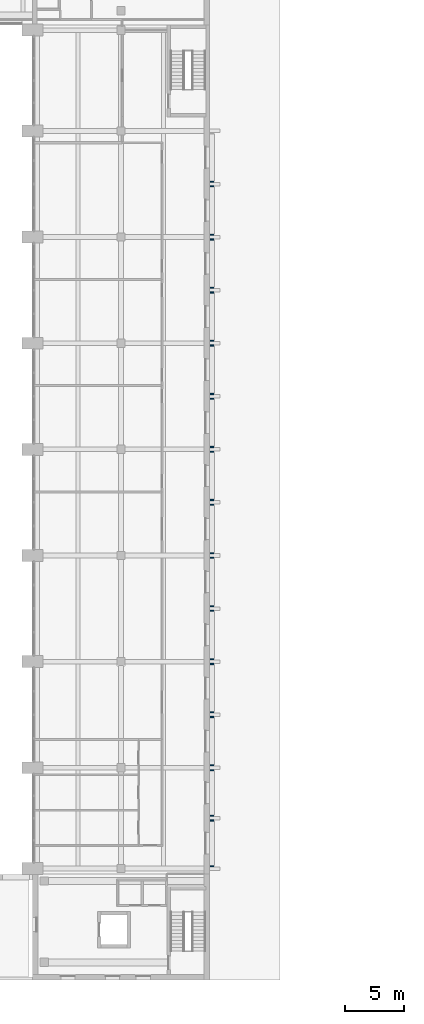
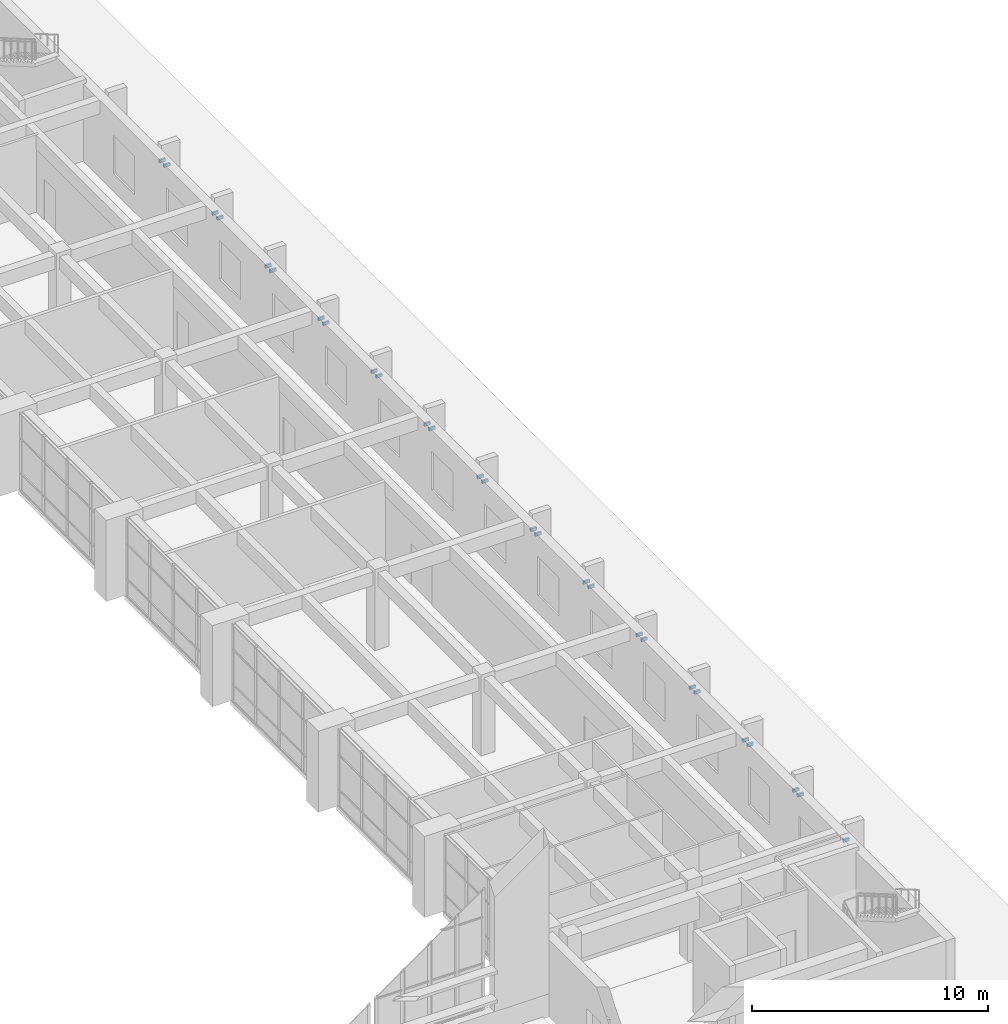
# One storey, part 38 of 45: 27 discrete accessories.
"""IFC4 building model written with IfcOpenShell, lengths in metres."""

import ifcopenshell
import ifcopenshell.guid

model = None  # the IFC model being written
_history = None  # IfcOwnerHistory: only IFC2X3 demands one
_inside = {}  # id of a spatial element -> (the spatial element, [elements in it])
_under = {}  # id of a project, library or spatial element -> (it, [spatial elements below it])
_declared = {}  # id of a project -> (the project, [libraries it declares])
_typed = {}  # id of a type object -> (the type object, [elements of that type])
_made_of = {}  # id of a material, layer set ... -> (it, [elements and type objects made of it])


def new_model(schema):
    """Start an empty IFC model of exactly this schema.

    Asked for "IFC4X3", IfcOpenShell would pick the latest addendum, in which some entities
    have other attributes; the version numbers below select the first issue.
    IFC2X3 requires an IfcOwnerHistory on every rooted entity: one is made here for all.
    """
    global model, _history
    if schema == "IFC4X3":
        model = ifcopenshell.file(schema_version=(4, 3, 0, 0))
    else:
        model = ifcopenshell.file(schema=schema)
    _inside.clear()
    _under.clear()
    _declared.clear()
    _typed.clear()
    _made_of.clear()
    _history = None
    if model.schema == "IFC2X3":
        org = make("IfcOrganization", Name="unknown")
        user = make(
            "IfcPersonAndOrganization",
            ThePerson=make("IfcPerson", FamilyName="unknown"),
            TheOrganization=org,
        )
        app = make(
            "IfcApplication",
            ApplicationDeveloper=org,
            Version="unknown",
            ApplicationFullName="unknown",
            ApplicationIdentifier="unknown",
        )
        _history = make(
            "IfcOwnerHistory",
            OwningUser=user,
            OwningApplication=app,
            ChangeAction="ADDED",
            CreationDate=0,
        )
    return model


def make(cls, **values):
    """One entity of the class cls with the attributes given. An attribute that is None is left unset."""
    return model.create_entity(
        cls, **{name: value for name, value in values.items() if value is not None}
    )


def rooted(cls, **values):
    """An entity with a GlobalId (a new one), such as an element, a storey or a relation."""
    return make(cls, GlobalId=ifcopenshell.guid.new(), OwnerHistory=_history, **values)


def si_unit(unit_type, name, prefix=None):
    """IfcSIUnit, for example si_unit("LENGTHUNIT", "METRE", prefix="MILLI")."""
    return make("IfcSIUnit", UnitType=unit_type, Prefix=prefix, Name=name)


def assignment(units):
    """IfcUnitAssignment: the units of a project."""
    return None if units is None else make("IfcUnitAssignment", Units=units)


def point(xyz):
    """IfcCartesianPoint."""
    return None if xyz is None else make("IfcCartesianPoint", Coordinates=xyz)


def direction(xyz):
    """IfcDirection."""
    return None if xyz is None else make("IfcDirection", DirectionRatios=xyz)


def frame(location, z_axis=None, x_axis=None):
    """IfcAxis2Placement3D, a coordinate frame: its origin and axes. An axis left out is left unset."""
    return make(
        "IfcAxis2Placement3D",
        Location=point(location),
        Axis=direction(z_axis),
        RefDirection=direction(x_axis),
    )


def frame_2d(location, x_axis=None):
    """IfcAxis2Placement2D, a coordinate frame in the plane: its origin and x axis."""
    return make(
        "IfcAxis2Placement2D", Location=point(location), RefDirection=direction(x_axis)
    )


def origin():
    """The frame at (0, 0, 0) with its axes left unset."""
    return frame((0.0, 0.0, 0.0))


def origin_2d():
    """The frame at (0, 0) in the plane with its x axis left unset."""
    return frame_2d((0.0, 0.0))


def place(relative_to, where):
    """IfcLocalPlacement: puts the frame where relative to a parent placement (None: the world)."""
    return make(
        "IfcLocalPlacement", PlacementRelTo=relative_to, RelativePlacement=where
    )


def context(
    kind, dimensions, precision=None, world=None, true_north=None, identifier=None
):
    """IfcGeometricRepresentationContext, for example the 3D "Model" context."""
    return make(
        "IfcGeometricRepresentationContext",
        ContextIdentifier=identifier,
        ContextType=kind,
        CoordinateSpaceDimension=dimensions,
        Precision=precision,
        WorldCoordinateSystem=world,
        TrueNorth=true_north,
    )


def subcontext(parent, identifier, kind, view, scale=None):
    """IfcGeometricRepresentationSubContext, for example "Body" below "Model"."""
    return make(
        "IfcGeometricRepresentationSubContext",
        ContextIdentifier=identifier,
        ContextType=kind,
        ParentContext=parent,
        TargetScale=scale,
        TargetView=view,
    )


def project(units=None, contexts=None):
    """IfcProject with its units and contexts."""
    return rooted(
        "IfcProject",
        Name="project",
        RepresentationContexts=contexts,
        UnitsInContext=assignment(units),
    )


def spatial(cls, under=None, at=None, **own):
    """A site, building, storey or space (cls), placed at a placement, below another one or the project."""
    s = rooted(cls, ObjectPlacement=at, **own)
    if under is not None:
        _under.setdefault(under.id(), (under, []))[1].append(s)
    return s


def profile(cls, at=None, kind="AREA", **sizes):
    """A parametric profile (cls). Its sizes go by their IFC names, for example OverallWidth=200.0."""
    return make(cls, ProfileType=kind, Position=at, **sizes)


def rectangle(**sizes):
    """IfcRectangleProfileDef."""
    return profile("IfcRectangleProfileDef", **sizes)


def extrude(swept, where, along, depth):
    """IfcExtrudedAreaSolid: the profile swept, set in the frame where, extruded along a direction by depth."""
    return make(
        "IfcExtrudedAreaSolid",
        SweptArea=swept,
        Position=where,
        ExtrudedDirection=direction(along),
        Depth=depth,
    )


def shape(context_of_items, identifier, shape_type, items):
    """IfcShapeRepresentation: the items that make up one representation, for example the "Body"."""
    return make(
        "IfcShapeRepresentation",
        ContextOfItems=context_of_items,
        RepresentationIdentifier=identifier,
        RepresentationType=shape_type,
        Items=items,
    )


def material(Name=None, Category=None):
    """IfcMaterial."""
    return make("IfcMaterial", Name=Name, Category=Category)


def made_of(thing, what):
    """Note that an element or type object is made of a material, layer set ...; save() writes the relation."""
    if what is not None:
        _made_of.setdefault(what.id(), (what, []))[1].append(thing)
    return thing


def type_object(cls, material=None, **own):
    """A type object (cls), such as IfcWallType, which elements share."""
    return made_of(rooted(cls, **own), material)


def element(
    cls,
    number,
    at=None,
    inside=None,
    cuts=None,
    type_object=None,
    material=None,
    context=None,
    identifier="Body",
    shape_type=None,
    held_by="IfcProductDefinitionShape",
    body=None,
    shapes=None,
    **own,
):
    """One element of the class cls, such as IfcWall. Its Tag is "e" and its number.

    at: its placement. inside: the storey or other place that contains it. cuts: it is an
    opening in that element (IfcRelVoidsElement). A single representation is given by context,
    identifier, shape_type and body (its items); several are given by shapes. held_by: the class
    of the entity that holds the representations. save() writes the other relations.
    """
    e = rooted(cls, Tag="e%d" % number, ObjectPlacement=at, **own)
    if body is not None:
        shapes = [shape(context, identifier, shape_type, body)]
    if shapes is not None:
        e.Representation = make(held_by, Representations=shapes)
    if inside is not None:
        _inside.setdefault(inside.id(), (inside, []))[1].append(e)
    if cuts is not None:
        rooted(
            "IfcRelVoidsElement", RelatingBuildingElement=cuts, RelatedOpeningElement=e
        )
    if type_object is not None:
        _typed.setdefault(type_object.id(), (type_object, []))[1].append(e)
    return made_of(e, material)


def aggregate(whole, parts):
    """IfcRelAggregates: a whole, such as a stair, and the parts it consists of."""
    return rooted("IfcRelAggregates", RelatingObject=whole, RelatedObjects=parts)


def save(model, path):
    """Write the relations noted so far, then the file.

    IfcRelAggregates (storeys below a building ...), IfcRelContainedInSpatialStructure (elements
    in a storey), IfcRelDefinesByType, IfcRelAssociatesMaterial and IfcRelDeclares: one each for
    every whole, place, type object, material and project.
    """
    for whole, parts in _under.values():
        aggregate(whole, parts)
    for where, things in _inside.values():
        rooted(
            "IfcRelContainedInSpatialStructure",
            RelatedElements=things,
            RelatingStructure=where,
        )
    for kind, things in _typed.values():
        rooted("IfcRelDefinesByType", RelatedObjects=things, RelatingType=kind)
    for what, things in _made_of.values():
        rooted("IfcRelAssociatesMaterial", RelatedObjects=things, RelatingMaterial=what)
    for by, libraries in _declared.values():
        rooted("IfcRelDeclares", RelatingContext=by, RelatedDefinitions=libraries)
    model.write(path)


model = new_model("IFC4")

# Units and contexts
model_context = context("Model", 3, precision=1e-05, world=origin(), true_north=direction((0.0, 1.0)))
body_context = subcontext(model_context, "Body", "Model", "MODEL_VIEW")
ifc_project = project(units=[si_unit("LENGTHUNIT", "METRE"), si_unit("AREAUNIT", "SQUARE_METRE"), si_unit("VOLUMEUNIT", "CUBIC_METRE"), si_unit("PLANEANGLEUNIT", "RADIAN"), si_unit("MASSUNIT", "GRAM", prefix="KILO")], contexts=[model_context])

# Site, building, storey
site_placement = place(None, origin())
site = spatial("IfcSite", under=ifc_project, at=site_placement, CompositionType="ELEMENT")
building_placement = place(site_placement, origin())
building = spatial("IfcBuilding", under=site, at=building_placement, Name="Elmora Arch Market Hall", CompositionType="ELEMENT")
storey_placement = place(building_placement, frame((0.0, 0.0, 6.0)))
storey = spatial("IfcBuildingStorey", under=building, at=storey_placement, Name="L01", CompositionType="ELEMENT", Elevation=6.0)

# Discrete accessories
ifc_material = material(Name="Steel ASTM A653 galvanised", Category="steel")
discrete_accessory_type = type_object("IfcDiscreteAccessoryType", Name="Bracket plate 100x300x150", PredefinedType="BRACKET", material=ifc_material)
for number, where, z_axis, x_axis, name in (
    (1, (58.22509765625, 27.64990234375, 3.074951171875), (0.0, 0.0, 1.0), (1.0, 0.0, 0.0), "Bracket HOOD-E-1-L01"),
    (2, (58.22509765625, 31.52490234375, 3.074951171875), (0.0, 0.0, 1.0), (1.0, 0.0, 0.0), "Bracket HOOD-E-1-L01"),
    (3, (58.22509765625, 31.925048828125, 3.074951171875), (0.0, 0.0, 1.0), (1.0, 0.0, 0.0), "Bracket HOOD-E-2-L01"),
    (4, (58.22509765625, 35.800048828125, 3.074951171875), (0.0, 0.0, 1.0), (1.0, 0.0, 0.0), "Bracket HOOD-E-2-L01"),
    (5, (58.22509765625, 36.199951171875, 3.074951171875), (0.0, 0.0, 1.0), (1.0, 0.0, 0.0), "Bracket HOOD-E-3-L01"),
    (6, (58.22509765625, 40.300048828125, 3.074951171875), (0.0, 0.0, 1.0), (1.0, 0.0, 0.0), "Bracket HOOD-E-3-L01"),
    (7, (58.22509765625, 40.699951171875, 3.074951171875), (0.0, 0.0, 1.0), (1.0, 0.0, 0.0), "Bracket HOOD-E-4-L01"),
    (8, (58.22509765625, 44.800048828125, 3.074951171875), (0.0, 0.0, 1.0), (1.0, 0.0, 0.0), "Bracket HOOD-E-4-L01"),
    (9, (58.22509765625, 45.199951171875, 3.074951171875), (0.0, 0.0, 1.0), (1.0, 0.0, 0.0), "Bracket HOOD-E-5-L01"),
    (10, (58.22509765625, 49.300048828125, 3.074951171875), (0.0, 0.0, 1.0), (1.0, 0.0, 0.0), "Bracket HOOD-E-5-L01"),
    (11, (58.22509765625, 49.699951171875, 3.074951171875), (0.0, 0.0, 1.0), (1.0, 0.0, 0.0), "Bracket HOOD-E-6-L01"),
    (12, (58.22509765625, 53.800048828125, 3.074951171875), (0.0, 0.0, 1.0), (1.0, 0.0, 0.0), "Bracket HOOD-E-6-L01"),
    (13, (58.22509765625, 54.199951171875, 3.074951171875), (0.0, 0.0, 1.0), (1.0, 0.0, 0.0), "Bracket HOOD-E-7-L01"),
    (14, (58.22509765625, 58.300048828125, 3.074951171875), (0.0, 0.0, 1.0), (1.0, 0.0, 0.0), "Bracket HOOD-E-7-L01"),
    (15, (58.22509765625, 58.699951171875, 3.074951171875), (0.0, 0.0, 1.0), (1.0, 0.0, 0.0), "Bracket HOOD-E-8-L01"),
    (16, (58.22509765625, 62.800048828125, 3.074951171875), (0.0, 0.0, 1.0), (1.0, 0.0, 0.0), "Bracket HOOD-E-8-L01"),
    (17, (58.22509765625, 63.199951171875, 3.074951171875), (0.0, 0.0, 1.0), (1.0, 0.0, 0.0), "Bracket HOOD-E-9-L01"),
    (18, (58.22509765625, 67.300048828125, 3.074951171875), (0.0, 0.0, 1.0), (1.0, 0.0, 0.0), "Bracket HOOD-E-9-L01"),
    (19, (58.22509765625, 67.699951171875, 3.074951171875), (0.0, 0.0, 1.0), (1.0, 0.0, 0.0), "Bracket HOOD-E-10-L01"),
    (20, (58.22509765625, 71.800048828125, 3.074951171875), (0.0, 0.0, 1.0), (1.0, 0.0, 0.0), "Bracket HOOD-E-10-L01"),
    (21, (58.22509765625, 72.199951171875, 3.074951171875), (0.0, 0.0, 1.0), (1.0, 0.0, 0.0), "Bracket HOOD-E-11-L01"),
    (22, (58.22509765625, 76.300048828125, 3.074951171875), (0.0, 0.0, 1.0), (1.0, 0.0, 0.0), "Bracket HOOD-E-11-L01"),
    (23, (58.22509765625, 76.699951171875, 3.074951171875), (0.0, 0.0, 1.0), (1.0, 0.0, 0.0), "Bracket HOOD-E-12-L01"),
    (24, (58.22509765625, 80.800048828125, 3.074951171875), (0.0, 0.0, 1.0), (1.0, 0.0, 0.0), "Bracket HOOD-E-12-L01"),
    (25, (58.22509765625, 81.199951171875, 3.074951171875), (0.0, 0.0, 1.0), (1.0, 0.0, 0.0), "Bracket HOOD-E-13-L01"),
    (26, (58.22509765625, 85.300048828125, 3.074951171875), (0.0, 0.0, 1.0), (1.0, 0.0, 0.0), "Bracket HOOD-E-13-L01"),
    (27, (58.22509765625, 85.699951171875, 3.074951171875), (0.0, 0.0, 1.0), (1.0, 0.0, 0.0), "Bracket HOOD-E-14-L01"),
):
    element("IfcDiscreteAccessory", number, at=place(storey_placement, frame(where, z_axis=z_axis, x_axis=x_axis)), inside=storey, type_object=discrete_accessory_type, Name=name, PredefinedType="BRACKET", context=body_context, shape_type="SweptSolid", body=[
        extrude(rectangle(XDim=0.300048828125, YDim=0.10009765625, at=origin_2d()), origin(), (0.0, 0.0, 1.0), 0.14990234375),
    ])

save(model, "model.ifc")
